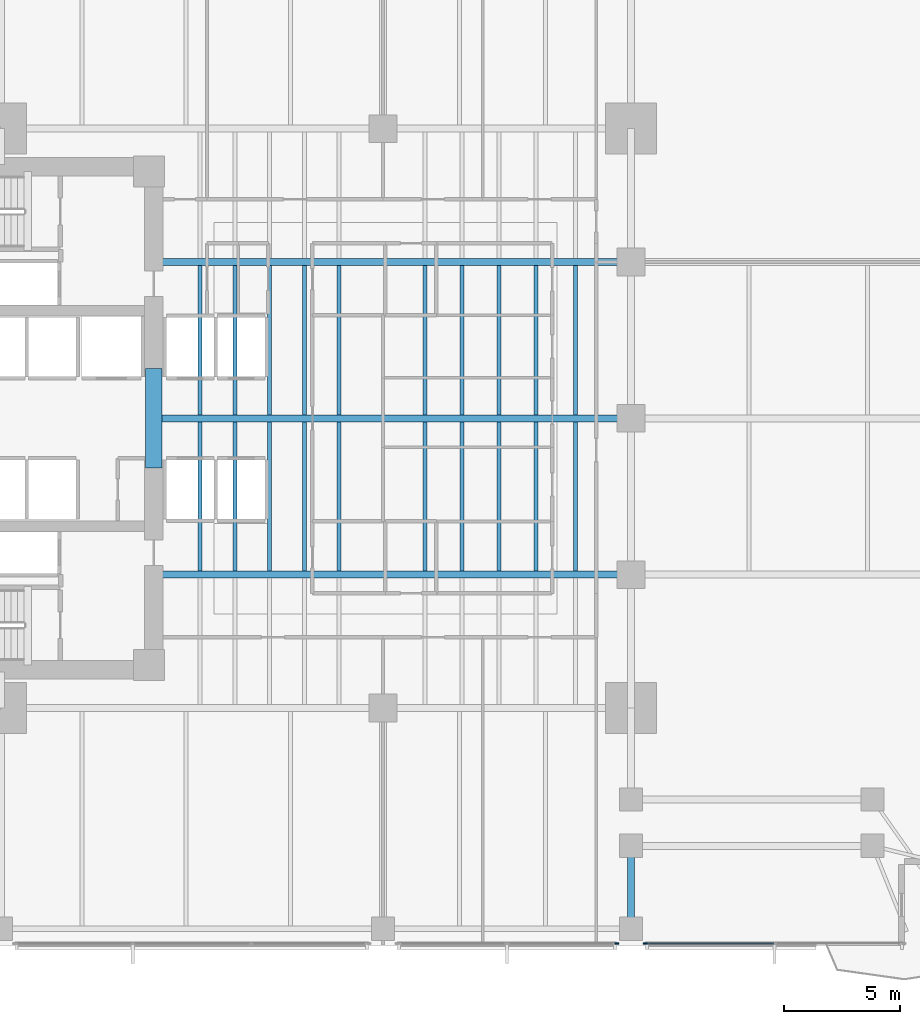
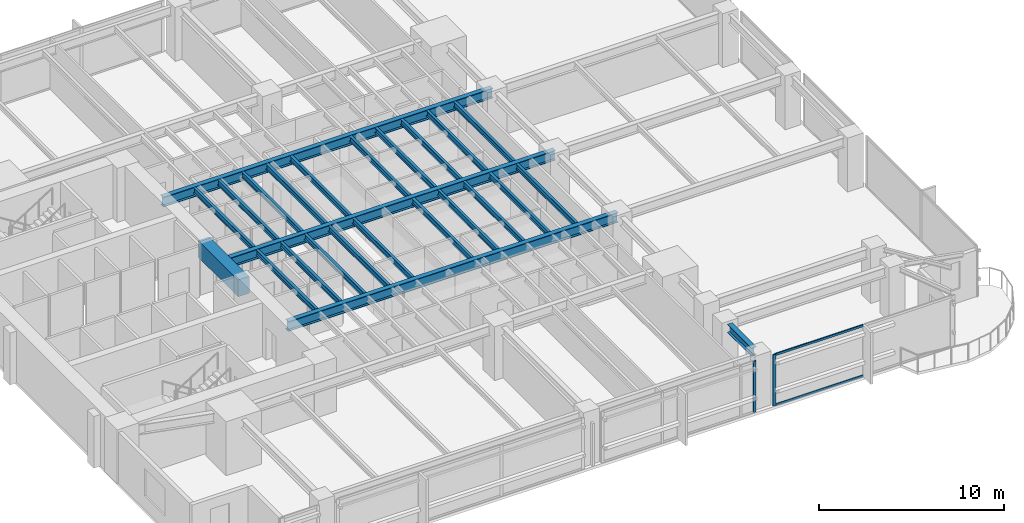
# One storey, part 3 of 15: 25 beams, 4 members, 2 elements without a shape of their own.
"""IFC4 building model written with IfcOpenShell, lengths in metres."""

from ifc_helpers import new_model, si_unit, direction, frame, origin, origin_2d, place, context, subcontext, project, spatial, rectangle, i_section, extrude, material, layer, layer_set, material_profile, profile_set, type_object, element, aggregate, save


model = new_model("IFC4")

# Units and contexts
model_context = context("Model", 3, precision=1e-05, world=origin(), true_north=direction((0.0, 1.0)))
body_context = subcontext(model_context, "Body", "Model", "MODEL_VIEW")
ifc_project = project(units=[si_unit("LENGTHUNIT", "METRE"), si_unit("AREAUNIT", "SQUARE_METRE"), si_unit("VOLUMEUNIT", "CUBIC_METRE"), si_unit("PLANEANGLEUNIT", "RADIAN"), si_unit("MASSUNIT", "GRAM", prefix="KILO")], contexts=[model_context])

# Site, building, storey
site_placement = place(None, origin())
site = spatial("IfcSite", under=ifc_project, at=site_placement, CompositionType="ELEMENT")
building_placement = place(site_placement, origin())
building = spatial("IfcBuilding", under=site, at=building_placement, Name="Kinhvarn Gate Tower", CompositionType="ELEMENT")
storey_placement = place(building_placement, frame((0.0, 0.0, 75.300048828125)))
storey = spatial("IfcBuildingStorey", under=building, at=storey_placement, Name="L19", CompositionType="ELEMENT", Elevation=75.300048828125)

# Beam
ifc_material_1 = material(Name="Concrete C70/85", Category="concrete")
ifc_material_profile_1 = material_profile(ifc_material_1, rectangle(XDim=0.699951171875, YDim=1.10009765625, at=origin_2d()), Name="RC 700x1100")
ifc_profile_set_1 = profile_set([ifc_material_profile_1], Name="Concrete C70/85")
beam_type_1 = type_object("IfcBeamType", Name="BM-CB-1100", PredefinedType="LINTEL", material=ifc_profile_set_1)
beam_1_placement = place(storey_placement, frame((17.60009765625, 23.10009765625, 2.820068359375), z_axis=(0.0, 1.0, 0.0), x_axis=(-1.0, 0.0, 0.0)))
element("IfcBeam", 1, at=beam_1_placement, inside=storey, type_object=beam_type_1, Name="Core East Portal Coupling Beam L19", PredefinedType="LINTEL", context=body_context, shape_type="SweptSolid", body=[
    extrude(rectangle(XDim=0.699951171875, YDim=1.10009765625, at=origin_2d()), origin(), (0.0, 0.0, 1.0), 4.2998046875),
])

# Curtain wall, member
ifc_material_2 = material(Name="Anodised aluminium AW-6063", Category="aluminium")
ifc_layer = layer(ifc_material_2, 0.179931640625)
ifc_layer_set = layer_set([ifc_layer], Name="Anodised aluminium AW-6063")
curtain_wall_type = type_object("IfcCurtainWallType", Name="CW-SYS-2", PredefinedType="NOTDEFINED", material=ifc_layer_set)
curtain_wall_1_placement = place(storey_placement, origin())
curtain_wall_1 = element("IfcCurtainWall", 2, at=curtain_wall_1_placement, inside=storey, type_object=curtain_wall_type, Name="Curtain Wall CW2 (L19)", PredefinedType="NOTDEFINED")
ifc_material_profile_2 = material_profile(ifc_material_2, rectangle(XDim=0.070068359375, YDim=0.179931640625, at=origin_2d()), Name="ALU 70x180")
ifc_profile_set_2 = profile_set([ifc_material_profile_2], Name="Anodised aluminium AW-6063")
member_type_1 = type_object("IfcMemberType", Name="CW-MUL-180", PredefinedType="MULLION", material=ifc_profile_set_2)
member_1_placement = place(storey_placement, frame((37.5849609375, 2.590087890625, 0.0), z_axis=(0.0, 0.0, 1.0), x_axis=(0.0, 1.0, 0.0)))
member_1 = element("IfcMember", 3, at=member_1_placement, type_object=member_type_1, Name="CW2 mullion 3", PredefinedType="MULLION", context=body_context, shape_type="SweptSolid", body=[
    extrude(rectangle(XDim=0.070068359375, YDim=0.179931640625, at=origin_2d()), origin(), (0.0, 0.0, 1.0), 3.369873046875),
])
aggregate(curtain_wall_1, [member_1])

# Curtain wall, members
curtain_wall_2_placement = place(storey_placement, origin())
curtain_wall_2 = element("IfcCurtainWall", 4, at=curtain_wall_2_placement, inside=storey, type_object=curtain_wall_type, Name="Curtain Wall CW2 (L19)", PredefinedType="NOTDEFINED")
member_2_placement = place(storey_placement, frame((38.81494140625, 2.590087890625, 0.0), z_axis=(0.0, 0.0, 1.0), x_axis=(0.0, 1.0, 0.0)))
member_2 = element("IfcMember", 5, at=member_2_placement, type_object=member_type_1, Name="CW2 mullion 1", PredefinedType="MULLION", context=body_context, shape_type="SweptSolid", body=[
    extrude(rectangle(XDim=0.070068359375, YDim=0.179931640625, at=origin_2d()), origin(), (0.0, 0.0, 1.0), 3.369873046875),
])
ifc_material_profile_3 = material_profile(ifc_material_2, rectangle(XDim=0.070068359375, YDim=0.139892578125, at=origin_2d()), Name="ALU 70x140")
ifc_profile_set_3 = profile_set([ifc_material_profile_3], Name="Anodised aluminium AW-6063")
member_type_2 = type_object("IfcMemberType", Name="CW-TRN-140", PredefinedType="USERDEFINED", material=ifc_profile_set_3)
member_3_placement = place(storey_placement, frame((38.85009765625, 2.590087890625, 0.034912109375), z_axis=(1.0, 0.0, 0.0), x_axis=(0.0, 1.0, 0.0)))
member_3 = element("IfcMember", 6, at=member_3_placement, type_object=member_type_2, Name="CW2 transom 1.1", ObjectType="TRANSOM", PredefinedType="USERDEFINED", context=body_context, shape_type="SweptSolid", body=[
    extrude(rectangle(XDim=0.070068359375, YDim=0.139892578125, at=origin_2d()), origin(), (0.0, 0.0, 1.0), 5.5048828125),
])
member_4_placement = place(storey_placement, frame((38.85009765625, 2.590087890625, 3.3349609375), z_axis=(1.0, 0.0, 0.0), x_axis=(0.0, 1.0, 0.0)))
member_4 = element("IfcMember", 7, at=member_4_placement, type_object=member_type_2, Name="CW2 transom 1.2", ObjectType="TRANSOM", PredefinedType="USERDEFINED", context=body_context, shape_type="SweptSolid", body=[
    extrude(rectangle(XDim=0.070068359375, YDim=0.139892578125, at=origin_2d()), origin(), (0.0, 0.0, 1.0), 5.5048828125),
])
aggregate(curtain_wall_2, [member_2, member_3, member_4])

# Beams
ifc_material_3 = material(Name="Steel S355", Category="steel")
ifc_material_profile_4 = material_profile(ifc_material_3, i_section(OverallWidth=0.300048828125, OverallDepth=0.550048828125, WebThickness=0.014892578125, FlangeThickness=0.029052734375, at=origin_2d()), Name="HEB 550")
ifc_profile_set_4 = profile_set([ifc_material_profile_4], Name="Steel S355")
beam_type_2 = type_object("IfcBeamType", Name="STL-HEB550", PredefinedType="BEAM", material=ifc_profile_set_4)
beam_2_placement = place(storey_placement, frame((38.199951171875, 3.705078125, 3.094970703125), z_axis=(0.0, 1.0, 0.0), x_axis=(-1.0, 0.0, 0.0)))
element("IfcBeam", 8, at=beam_2_placement, inside=storey, type_object=beam_type_2, Name="Floor Beam PG-15 (L19 MCE-S-A0)", PredefinedType="BEAM", context=body_context, shape_type="SweptSolid", body=[
    extrude(i_section(OverallWidth=0.300048828125, OverallDepth=0.550048828125, WebThickness=0.014892578125, FlangeThickness=0.029052734375, at=origin_2d()), origin(), (0.0, 0.0, 1.0), 2.60986328125),
])
ifc_material_profile_5 = material_profile(ifc_material_3, i_section(OverallWidth=0.300048828125, OverallDepth=0.64990234375, WebThickness=0.01611328125, FlangeThickness=0.031005859375, at=origin_2d()), Name="HEB 650")
ifc_profile_set_5 = profile_set([ifc_material_profile_5], Name="Steel S355")
beam_type_3 = type_object("IfcBeamType", Name="STL-HEB650", PredefinedType="BEAM", material=ifc_profile_set_5)
beam_3_placement = place(storey_placement, frame((17.64990234375, 18.5, 3.044921875), z_axis=(1.0, 0.0, 0.0), x_axis=(0.0, 1.0, 0.0)))
element("IfcBeam", 9, at=beam_3_placement, inside=storey, type_object=beam_type_3, Name="Floor Beam PG-17 (L19 EW1-Y18)", PredefinedType="BEAM", context=body_context, shape_type="SweptSolid", body=[
    extrude(i_section(OverallWidth=0.300048828125, OverallDepth=0.64990234375, WebThickness=0.01611328125, FlangeThickness=0.031005859375, at=origin_2d()), origin(), (0.0, 0.0, 1.0), 20.550048828125),
])
beam_4_placement = place(storey_placement, frame((17.949951171875, 25.25, 3.044921875), z_axis=(1.0, 0.0, 0.0), x_axis=(0.0, 1.0, 0.0)))
element("IfcBeam", 10, at=beam_4_placement, inside=storey, type_object=beam_type_3, Name="Floor Beam PG-17 (L19 EW1-Y25)", PredefinedType="BEAM", context=body_context, shape_type="SweptSolid", body=[
    extrude(i_section(OverallWidth=0.300048828125, OverallDepth=0.64990234375, WebThickness=0.01611328125, FlangeThickness=0.031005859375, at=origin_2d()), origin(), (0.0, 0.0, 1.0), 20.25),
])
beam_5_placement = place(storey_placement, frame((17.64990234375, 32.0, 3.044921875), z_axis=(1.0, 0.0, 0.0), x_axis=(0.0, 1.0, 0.0)))
element("IfcBeam", 11, at=beam_5_placement, inside=storey, type_object=beam_type_3, Name="Floor Beam PG-17 (L19 EW1-Y32)", PredefinedType="BEAM", context=body_context, shape_type="SweptSolid", body=[
    extrude(i_section(OverallWidth=0.300048828125, OverallDepth=0.64990234375, WebThickness=0.01611328125, FlangeThickness=0.031005859375, at=origin_2d()), origin(), (0.0, 0.0, 1.0), 20.550048828125),
])
ifc_material_profile_6 = material_profile(ifc_material_3, i_section(OverallWidth=0.169921875, OverallDepth=0.360107421875, WebThickness=0.008056640625, FlangeThickness=0.0126953125, at=origin_2d()), Name="IPE 360")
ifc_profile_set_6 = profile_set([ifc_material_profile_6], Name="Steel S355")
beam_type_4 = type_object("IfcBeamType", Name="STL-IPE360", PredefinedType="JOIST", material=ifc_profile_set_6)
for number, where, z_axis, x_axis, name in (
    (12, (19.60009765625, 18.64990234375, 3.18994140625), (0.0, 1.0, 0.0), (-1.0, 0.0, 0.0), "Floor Joist SB-04 (L19 JC-X196-1)"),
    (13, (19.60009765625, 25.39990234375, 3.18994140625), (0.0, 1.0, 0.0), (-1.0, 0.0, 0.0), "Floor Joist SB-04 (L19 JC-X196-2)"),
    (14, (21.10009765625, 18.64990234375, 3.18994140625), (0.0, 1.0, 0.0), (-1.0, 0.0, 0.0), "Floor Joist SB-04 (L19 JC-X211-1)"),
    (15, (21.10009765625, 25.39990234375, 3.18994140625), (0.0, 1.0, 0.0), (-1.0, 0.0, 0.0), "Floor Joist SB-04 (L19 JC-X211-2)"),
    (16, (22.60009765625, 18.64990234375, 3.18994140625), (0.0, 1.0, 0.0), (-1.0, 0.0, 0.0), "Floor Joist SB-04 (L19 JC-X226-1)"),
    (17, (22.60009765625, 25.39990234375, 3.18994140625), (0.0, 1.0, 0.0), (-1.0, 0.0, 0.0), "Floor Joist SB-04 (L19 JC-X226-2)"),
    (18, (24.10009765625, 18.64990234375, 3.18994140625), (0.0, 1.0, 0.0), (-1.0, 0.0, 0.0), "Floor Joist SB-04 (L19 JC-X241-1)"),
    (19, (24.10009765625, 25.39990234375, 3.18994140625), (0.0, 1.0, 0.0), (-1.0, 0.0, 0.0), "Floor Joist SB-04 (L19 JC-X241-2)"),
    (20, (25.60009765625, 18.64990234375, 3.18994140625), (0.0, 1.0, 0.0), (-1.0, 0.0, 0.0), "Floor Joist SB-04 (L19 JC-X256-1)"),
    (21, (25.60009765625, 25.39990234375, 3.18994140625), (0.0, 1.0, 0.0), (-1.0, 0.0, 0.0), "Floor Joist SB-04 (L19 JC-X256-2)"),
    (22, (29.300048828125, 18.64990234375, 3.18994140625), (0.0, 1.0, 0.0), (-1.0, 0.0, 0.0), "Floor Joist SB-04 (L19 JC-X293-1)"),
    (23, (29.300048828125, 25.39990234375, 3.18994140625), (0.0, 1.0, 0.0), (-1.0, 0.0, 0.0), "Floor Joist SB-04 (L19 JC-X293-2)"),
    (24, (30.89990234375, 18.64990234375, 3.18994140625), (0.0, 1.0, 0.0), (-1.0, 0.0, 0.0), "Floor Joist SB-04 (L19 JC-X309-1)"),
    (25, (30.89990234375, 25.39990234375, 3.18994140625), (0.0, 1.0, 0.0), (-1.0, 0.0, 0.0), "Floor Joist SB-04 (L19 JC-X309-2)"),
    (26, (32.5, 18.64990234375, 3.18994140625), (0.0, 1.0, 0.0), (-1.0, 0.0, 0.0), "Floor Joist SB-04 (L19 JC-X325-1)"),
    (27, (32.5, 25.39990234375, 3.18994140625), (0.0, 1.0, 0.0), (-1.0, 0.0, 0.0), "Floor Joist SB-04 (L19 JC-X325-2)"),
    (28, (34.10009765625, 18.64990234375, 3.18994140625), (0.0, 1.0, 0.0), (-1.0, 0.0, 0.0), "Floor Joist SB-04 (L19 JC-X341-1)"),
    (29, (34.10009765625, 25.39990234375, 3.18994140625), (0.0, 1.0, 0.0), (-1.0, 0.0, 0.0), "Floor Joist SB-04 (L19 JC-X341-2)"),
    (30, (35.800048828125, 18.64990234375, 3.18994140625), (0.0, 1.0, 0.0), (-1.0, 0.0, 0.0), "Floor Joist SB-04 (L19 JC-X358-1)"),
    (31, (35.800048828125, 25.39990234375, 3.18994140625), (0.0, 1.0, 0.0), (-1.0, 0.0, 0.0), "Floor Joist SB-04 (L19 JC-X358-2)"),
):
    element("IfcBeam", number, at=place(storey_placement, frame(where, z_axis=z_axis, x_axis=x_axis)), inside=storey, type_object=beam_type_4, Name=name, PredefinedType="JOIST", context=body_context, shape_type="SweptSolid", body=[
        extrude(i_section(OverallWidth=0.169921875, OverallDepth=0.360107421875, WebThickness=0.008056640625, FlangeThickness=0.0126953125, at=origin_2d()), origin(), (0.0, 0.0, 1.0), 6.4501953125),
    ])

save(model, "model.ifc")
